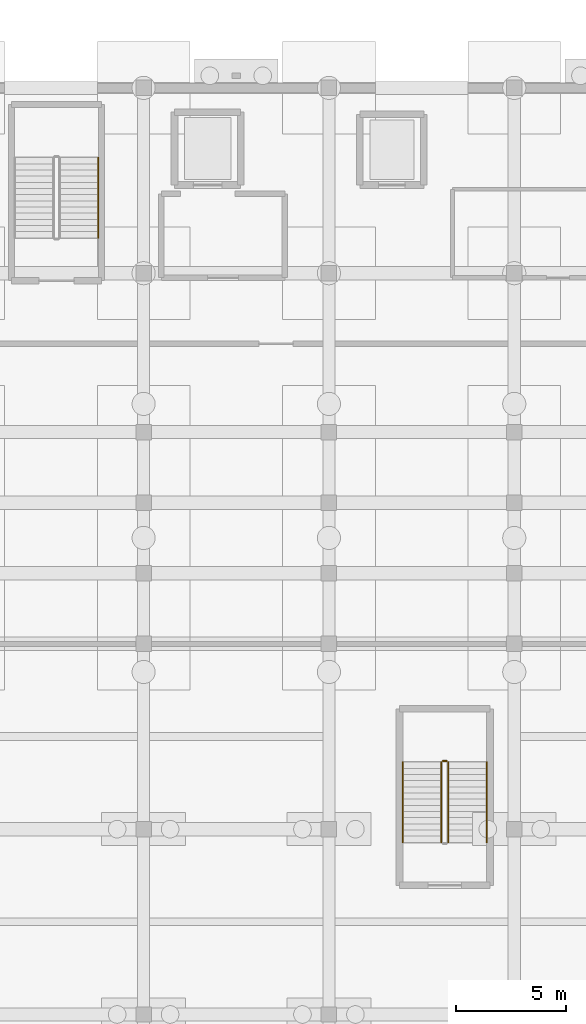
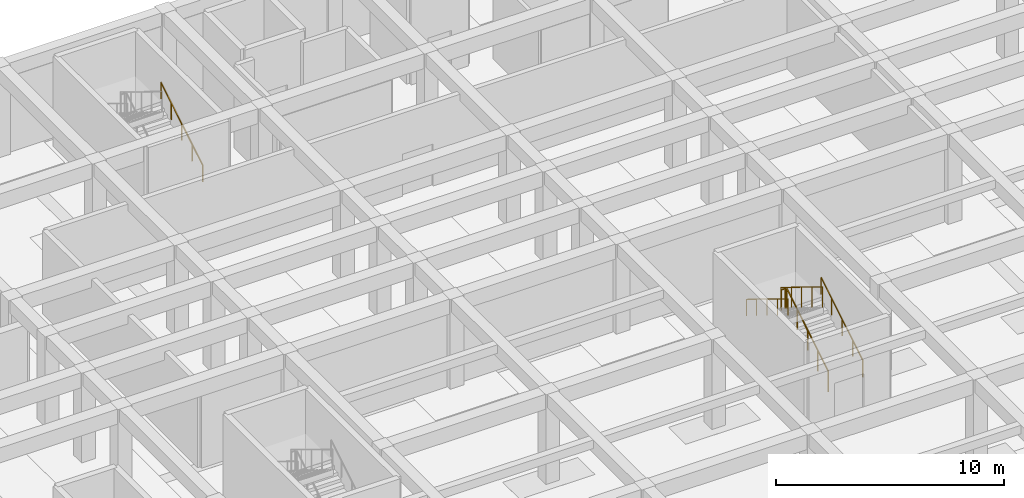
# One storey, part 49 of 51: 6 railings.
"""IFC4 building model written with IfcOpenShell, lengths in metres."""

import ifcopenshell
import ifcopenshell.guid

model = None  # the IFC model being written
_history = None  # IfcOwnerHistory: only IFC2X3 demands one
_inside = {}  # id of a spatial element -> (the spatial element, [elements in it])
_under = {}  # id of a project, library or spatial element -> (it, [spatial elements below it])
_declared = {}  # id of a project -> (the project, [libraries it declares])
_typed = {}  # id of a type object -> (the type object, [elements of that type])
_made_of = {}  # id of a material, layer set ... -> (it, [elements and type objects made of it])


def new_model(schema):
    """Start an empty IFC model of exactly this schema.

    Asked for "IFC4X3", IfcOpenShell would pick the latest addendum, in which some entities
    have other attributes; the version numbers below select the first issue.
    IFC2X3 requires an IfcOwnerHistory on every rooted entity: one is made here for all.
    """
    global model, _history
    if schema == "IFC4X3":
        model = ifcopenshell.file(schema_version=(4, 3, 0, 0))
    else:
        model = ifcopenshell.file(schema=schema)
    _inside.clear()
    _under.clear()
    _declared.clear()
    _typed.clear()
    _made_of.clear()
    _history = None
    if model.schema == "IFC2X3":
        org = make("IfcOrganization", Name="unknown")
        user = make(
            "IfcPersonAndOrganization",
            ThePerson=make("IfcPerson", FamilyName="unknown"),
            TheOrganization=org,
        )
        app = make(
            "IfcApplication",
            ApplicationDeveloper=org,
            Version="unknown",
            ApplicationFullName="unknown",
            ApplicationIdentifier="unknown",
        )
        _history = make(
            "IfcOwnerHistory",
            OwningUser=user,
            OwningApplication=app,
            ChangeAction="ADDED",
            CreationDate=0,
        )
    return model


def make(cls, **values):
    """One entity of the class cls with the attributes given. An attribute that is None is left unset."""
    return model.create_entity(
        cls, **{name: value for name, value in values.items() if value is not None}
    )


def rooted(cls, **values):
    """An entity with a GlobalId (a new one), such as an element, a storey or a relation."""
    return make(cls, GlobalId=ifcopenshell.guid.new(), OwnerHistory=_history, **values)


def si_unit(unit_type, name, prefix=None):
    """IfcSIUnit, for example si_unit("LENGTHUNIT", "METRE", prefix="MILLI")."""
    return make("IfcSIUnit", UnitType=unit_type, Prefix=prefix, Name=name)


def assignment(units):
    """IfcUnitAssignment: the units of a project."""
    return None if units is None else make("IfcUnitAssignment", Units=units)


def point(xyz):
    """IfcCartesianPoint."""
    return None if xyz is None else make("IfcCartesianPoint", Coordinates=xyz)


def direction(xyz):
    """IfcDirection."""
    return None if xyz is None else make("IfcDirection", DirectionRatios=xyz)


def frame(location, z_axis=None, x_axis=None):
    """IfcAxis2Placement3D, a coordinate frame: its origin and axes. An axis left out is left unset."""
    return make(
        "IfcAxis2Placement3D",
        Location=point(location),
        Axis=direction(z_axis),
        RefDirection=direction(x_axis),
    )


def frame_2d(location, x_axis=None):
    """IfcAxis2Placement2D, a coordinate frame in the plane: its origin and x axis."""
    return make(
        "IfcAxis2Placement2D", Location=point(location), RefDirection=direction(x_axis)
    )


def origin():
    """The frame at (0, 0, 0) with its axes left unset."""
    return frame((0.0, 0.0, 0.0))


def origin_2d():
    """The frame at (0, 0) in the plane with its x axis left unset."""
    return frame_2d((0.0, 0.0))


def place(relative_to, where):
    """IfcLocalPlacement: puts the frame where relative to a parent placement (None: the world)."""
    return make(
        "IfcLocalPlacement", PlacementRelTo=relative_to, RelativePlacement=where
    )


def context(
    kind, dimensions, precision=None, world=None, true_north=None, identifier=None
):
    """IfcGeometricRepresentationContext, for example the 3D "Model" context."""
    return make(
        "IfcGeometricRepresentationContext",
        ContextIdentifier=identifier,
        ContextType=kind,
        CoordinateSpaceDimension=dimensions,
        Precision=precision,
        WorldCoordinateSystem=world,
        TrueNorth=true_north,
    )


def subcontext(parent, identifier, kind, view, scale=None):
    """IfcGeometricRepresentationSubContext, for example "Body" below "Model"."""
    return make(
        "IfcGeometricRepresentationSubContext",
        ContextIdentifier=identifier,
        ContextType=kind,
        ParentContext=parent,
        TargetScale=scale,
        TargetView=view,
    )


def project(units=None, contexts=None):
    """IfcProject with its units and contexts."""
    return rooted(
        "IfcProject",
        Name="project",
        RepresentationContexts=contexts,
        UnitsInContext=assignment(units),
    )


def spatial(cls, under=None, at=None, **own):
    """A site, building, storey or space (cls), placed at a placement, below another one or the project."""
    s = rooted(cls, ObjectPlacement=at, **own)
    if under is not None:
        _under.setdefault(under.id(), (under, []))[1].append(s)
    return s


def profile(cls, at=None, kind="AREA", **sizes):
    """A parametric profile (cls). Its sizes go by their IFC names, for example OverallWidth=200.0."""
    return make(cls, ProfileType=kind, Position=at, **sizes)


def circle(**sizes):
    """IfcCircleProfileDef."""
    return profile("IfcCircleProfileDef", **sizes)


def extrude(swept, where, along, depth):
    """IfcExtrudedAreaSolid: the profile swept, set in the frame where, extruded along a direction by depth."""
    return make(
        "IfcExtrudedAreaSolid",
        SweptArea=swept,
        Position=where,
        ExtrudedDirection=direction(along),
        Depth=depth,
    )


def shape(context_of_items, identifier, shape_type, items):
    """IfcShapeRepresentation: the items that make up one representation, for example the "Body"."""
    return make(
        "IfcShapeRepresentation",
        ContextOfItems=context_of_items,
        RepresentationIdentifier=identifier,
        RepresentationType=shape_type,
        Items=items,
    )


def material(Name=None, Category=None):
    """IfcMaterial."""
    return make("IfcMaterial", Name=Name, Category=Category)


def made_of(thing, what):
    """Note that an element or type object is made of a material, layer set ...; save() writes the relation."""
    if what is not None:
        _made_of.setdefault(what.id(), (what, []))[1].append(thing)
    return thing


def type_object(cls, material=None, **own):
    """A type object (cls), such as IfcWallType, which elements share."""
    return made_of(rooted(cls, **own), material)


def element(
    cls,
    number,
    at=None,
    inside=None,
    cuts=None,
    type_object=None,
    material=None,
    context=None,
    identifier="Body",
    shape_type=None,
    held_by="IfcProductDefinitionShape",
    body=None,
    shapes=None,
    **own,
):
    """One element of the class cls, such as IfcWall. Its Tag is "e" and its number.

    at: its placement. inside: the storey or other place that contains it. cuts: it is an
    opening in that element (IfcRelVoidsElement). A single representation is given by context,
    identifier, shape_type and body (its items); several are given by shapes. held_by: the class
    of the entity that holds the representations. save() writes the other relations.
    """
    e = rooted(cls, Tag="e%d" % number, ObjectPlacement=at, **own)
    if body is not None:
        shapes = [shape(context, identifier, shape_type, body)]
    if shapes is not None:
        e.Representation = make(held_by, Representations=shapes)
    if inside is not None:
        _inside.setdefault(inside.id(), (inside, []))[1].append(e)
    if cuts is not None:
        rooted(
            "IfcRelVoidsElement", RelatingBuildingElement=cuts, RelatedOpeningElement=e
        )
    if type_object is not None:
        _typed.setdefault(type_object.id(), (type_object, []))[1].append(e)
    return made_of(e, material)


def aggregate(whole, parts):
    """IfcRelAggregates: a whole, such as a stair, and the parts it consists of."""
    return rooted("IfcRelAggregates", RelatingObject=whole, RelatedObjects=parts)


def save(model, path):
    """Write the relations noted so far, then the file.

    IfcRelAggregates (storeys below a building ...), IfcRelContainedInSpatialStructure (elements
    in a storey), IfcRelDefinesByType, IfcRelAssociatesMaterial and IfcRelDeclares: one each for
    every whole, place, type object, material and project.
    """
    for whole, parts in _under.values():
        aggregate(whole, parts)
    for where, things in _inside.values():
        rooted(
            "IfcRelContainedInSpatialStructure",
            RelatedElements=things,
            RelatingStructure=where,
        )
    for kind, things in _typed.values():
        rooted("IfcRelDefinesByType", RelatedObjects=things, RelatingType=kind)
    for what, things in _made_of.values():
        rooted("IfcRelAssociatesMaterial", RelatedObjects=things, RelatingMaterial=what)
    for by, libraries in _declared.values():
        rooted("IfcRelDeclares", RelatingContext=by, RelatedDefinitions=libraries)
    model.write(path)


model = new_model("IFC4")

# Units and contexts
model_context = context("Model", 3, precision=1e-05, world=origin(), true_north=direction((0.0, 1.0)))
body_context = subcontext(model_context, "Body", "Model", "MODEL_VIEW")
ifc_project = project(units=[si_unit("LENGTHUNIT", "METRE"), si_unit("AREAUNIT", "SQUARE_METRE"), si_unit("VOLUMEUNIT", "CUBIC_METRE"), si_unit("PLANEANGLEUNIT", "RADIAN"), si_unit("MASSUNIT", "GRAM", prefix="KILO")], contexts=[model_context])

# Site, building, storey
site_placement = place(None, origin())
site = spatial("IfcSite", under=ifc_project, at=site_placement, CompositionType="ELEMENT")
building_placement = place(site_placement, origin())
building = spatial("IfcBuilding", under=site, at=building_placement, Name="Varncliffe General Hospital", CompositionType="ELEMENT")
storey_placement = place(building_placement, frame((0.0, 0.0, -4.800048828125)))
storey = spatial("IfcBuildingStorey", under=building, at=storey_placement, Name="B1", CompositionType="ELEMENT", Elevation=-4.800048828125)

# Railings
ifc_material = material(Name="Powder-coated hospital steel guardrail and handrail", Category="steel")
railing_type_1 = type_object("IfcRailingType", Name="Stair and Ramp Handrail HR46", PredefinedType="HANDRAIL", material=ifc_material)
for number, where, name in (
    (1, (123.949951171875, 118.0, 0.346923828125), "B1 ST03 stair handrail 1"),
    (2, (141.550048828125, 90.60009765625, 0.346923828125), "B1 ST14 stair handrail 1"),
):
    element("IfcRailing", number, at=place(storey_placement, frame(where)), inside=storey, type_object=railing_type_1, Name=name, PredefinedType="HANDRAIL", context=body_context, shape_type="SweptSolid", body=[
        extrude(circle(Radius=0.02392578125, at=origin_2d()), frame((0.0, 0.0, 0.8759765625), z_axis=(0.0, 0.852850264322, 0.5221555579), x_axis=(-1.0, 0.0, 0.0)), (0.0, 0.0, 1.0), 4.267822265625),
        extrude(circle(Radius=0.02099609375, at=origin_2d()), origin(), (0.0, 0.0, 1.0), 0.851806640625),
        extrude(circle(Radius=0.02099609375, at=origin_2d()), frame((0.0, 0.909912109375, 0.55712890625)), (0.0, 0.0, 1.0), 0.851806640625),
        extrude(circle(Radius=0.02099609375, at=origin_2d()), frame((0.0, 1.81982421875, 1.1142578125)), (0.0, 0.0, 1.0), 0.851806640625),
        extrude(circle(Radius=0.02099609375, at=origin_2d()), frame((0.0, 2.72998046875, 1.67138671875)), (0.0, 0.0, 1.0), 0.851806640625),
        extrude(circle(Radius=0.02099609375, at=origin_2d()), frame((0.0, 3.639892578125, 2.228515625)), (0.0, 0.0, 1.0), 0.851806640625),
    ])
railing_1_placement = place(storey_placement, frame((137.75, 94.239990234375, 2.746826171875)))
element("IfcRailing", 3, at=railing_1_placement, inside=storey, type_object=railing_type_1, Name="B1 ST14 stair handrail 2", PredefinedType="HANDRAIL", context=body_context, shape_type="SweptSolid", body=[
    extrude(circle(Radius=0.02392578125, at=origin_2d()), frame((0.0, 0.0, 0.8759765625), z_axis=(0.0, -0.852824790078, 0.522197163366), x_axis=(1.0, 0.0, 0.0)), (0.0, 0.0, 1.0), 4.26806640625),
    extrude(circle(Radius=0.02099609375, at=origin_2d()), origin(), (0.0, 0.0, 1.0), 0.851806640625),
    extrude(circle(Radius=0.02099609375, at=origin_2d()), frame((0.0, -0.909912109375, 0.55712890625)), (0.0, 0.0, 1.0), 0.851806640625),
    extrude(circle(Radius=0.02099609375, at=origin_2d()), frame((0.0, -1.81982421875, 1.1142578125)), (0.0, 0.0, 1.0), 0.851806640625),
    extrude(circle(Radius=0.02099609375, at=origin_2d()), frame((0.0, -2.72998046875, 1.671630859375)), (0.0, 0.0, 1.0), 0.851806640625),
    extrude(circle(Radius=0.02099609375, at=origin_2d()), frame((0.0, -3.639892578125, 2.228759765625)), (0.0, 0.0, 1.0), 0.851806640625),
])
railing_type_2 = type_object("IfcRailingType", Name="Stairwell Guardrail SG49", PredefinedType="GUARDRAIL", material=ifc_material)
railing_2_placement = place(storey_placement, frame((139.800048828125, 90.60009765625, 0.17138671875)))
element("IfcRailing", 4, at=railing_2_placement, inside=storey, type_object=railing_type_2, Name="B1 ST14 stair guard 1", PredefinedType="GUARDRAIL", context=body_context, shape_type="SweptSolid", body=[
    extrude(circle(Radius=0.02392578125, at=origin_2d()), frame((0.0, 0.0, 1.076171875), z_axis=(0.0, 0.852824790078, 0.522197163366), x_axis=(-1.0, 0.0, 0.0)), (0.0, 0.0, 1.0), 4.26806640625),
    extrude(circle(Radius=0.02099609375, at=origin_2d()), origin(), (0.0, 0.0, 1.0), 1.052001953125),
    extrude(circle(Radius=0.02099609375, at=origin_2d()), frame((0.0, 0.909912109375, 0.55712890625)), (0.0, 0.0, 1.0), 1.052001953125),
    extrude(circle(Radius=0.02099609375, at=origin_2d()), frame((0.0, 1.81982421875, 1.1142578125)), (0.0, 0.0, 1.0), 1.052001953125),
    extrude(circle(Radius=0.02099609375, at=origin_2d()), frame((0.0, 2.72998046875, 1.671630859375)), (0.0, 0.0, 1.0), 1.052001953125),
    extrude(circle(Radius=0.02099609375, at=origin_2d()), frame((0.0, 3.639892578125, 2.228759765625)), (0.0, 0.0, 1.0), 1.052001953125),
])
railing_3_placement = place(storey_placement, frame((139.75, 94.2900390625, 2.400146484375)))
element("IfcRailing", 5, at=railing_3_placement, inside=storey, type_object=railing_type_2, Name="B1 ST14 stair guard 2", PredefinedType="GUARDRAIL", context=body_context, shape_type="SweptSolid", body=[
    extrude(circle(Radius=0.02392578125, at=origin_2d()), frame((0.0, 0.0, 1.076171875), z_axis=(-1.0, 0.0, 0.0), x_axis=(0.0, -1.0, 0.0)), (0.0, 0.0, 1.0), 0.199951171875),
    extrude(circle(Radius=0.02099609375, at=origin_2d()), origin(), (0.0, 0.0, 1.0), 1.052001953125),
    extrude(circle(Radius=0.02099609375, at=origin_2d()), frame((-0.199951171875, 0.0, 0.0)), (0.0, 0.0, 1.0), 1.052001953125),
])
railing_4_placement = place(storey_placement, frame((139.5, 94.239990234375, 2.571533203125)))
element("IfcRailing", 6, at=railing_4_placement, inside=storey, type_object=railing_type_2, Name="B1 ST14 stair guard 3", PredefinedType="GUARDRAIL", context=body_context, shape_type="SweptSolid", body=[
    extrude(circle(Radius=0.02392578125, at=origin_2d()), frame((0.0, 0.0, 1.076171875), z_axis=(0.0, -0.852850264322, 0.5221555579), x_axis=(1.0, 0.0, 0.0)), (0.0, 0.0, 1.0), 4.267822265625),
    extrude(circle(Radius=0.02099609375, at=origin_2d()), origin(), (0.0, 0.0, 1.0), 1.052001953125),
    extrude(circle(Radius=0.02099609375, at=origin_2d()), frame((0.0, -0.909912109375, 0.55712890625)), (0.0, 0.0, 1.0), 1.052001953125),
    extrude(circle(Radius=0.02099609375, at=origin_2d()), frame((0.0, -1.81982421875, 1.1142578125)), (0.0, 0.0, 1.0), 1.052001953125),
    extrude(circle(Radius=0.02099609375, at=origin_2d()), frame((0.0, -2.72998046875, 1.67138671875)), (0.0, 0.0, 1.0), 1.052001953125),
    extrude(circle(Radius=0.02099609375, at=origin_2d()), frame((0.0, -3.639892578125, 2.228515625)), (0.0, 0.0, 1.0), 1.052001953125),
])

save(model, "model.ifc")
